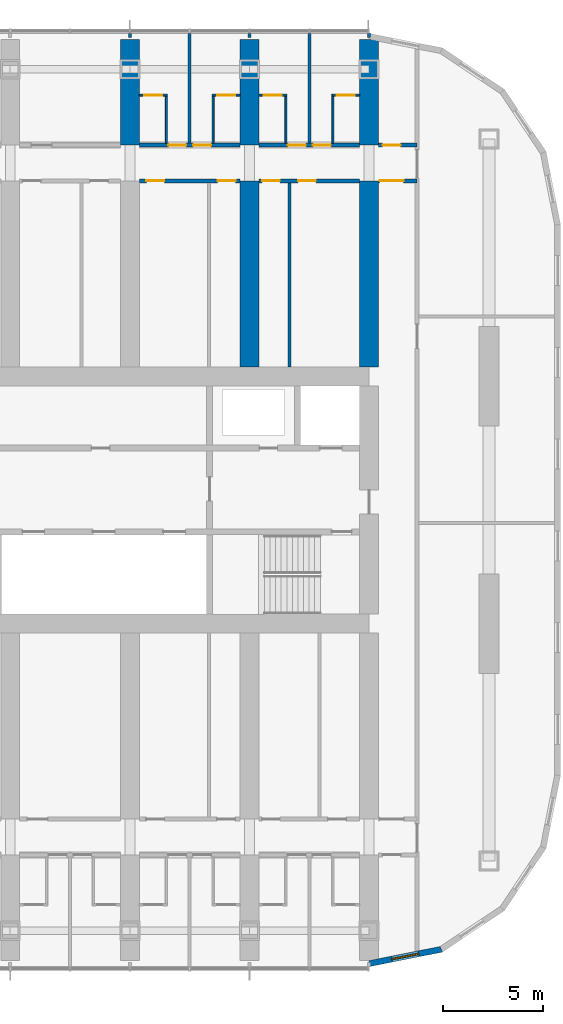
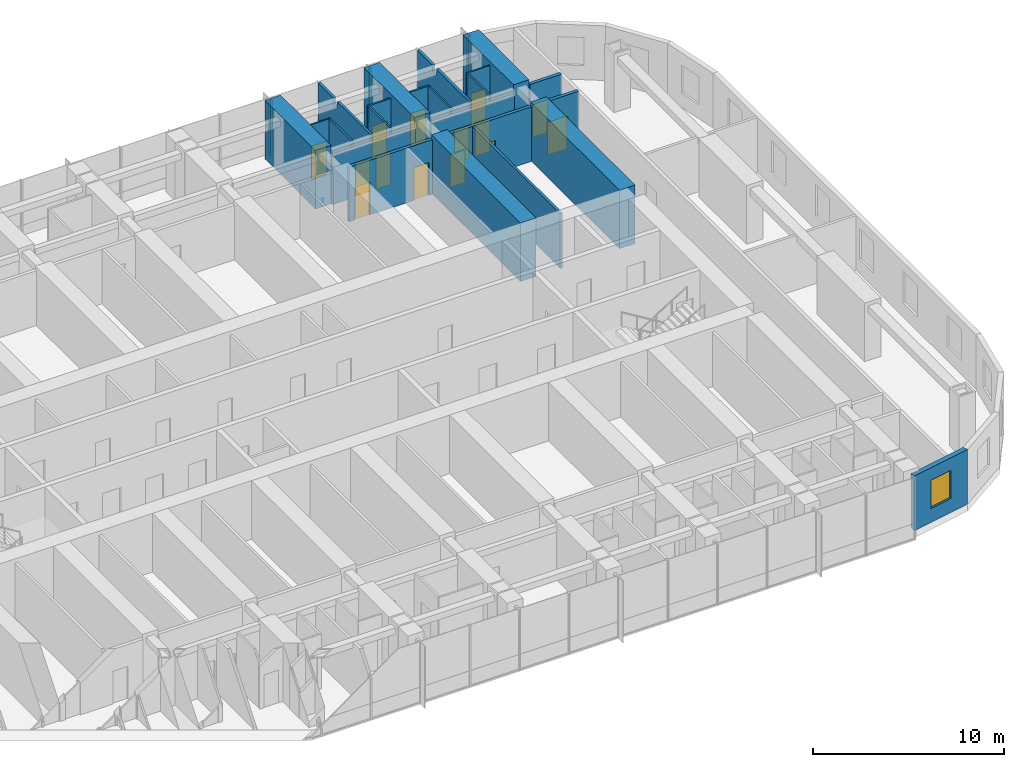
# One storey, part 17 of 25: 26 walls, 14 doors, 1 window, 15 openings.
"""IFC4 building model written with IfcOpenShell, lengths in metres."""

from ifc_helpers import new_model, si_unit, direction, frame, frame_2d, origin, place, context, subcontext, project, spatial, polyline, rectangle, outline, extrude, material, layer, layer_set, type_object, element, fill, save


model = new_model("IFC4")

# Units and contexts
model_context = context("Model", 3, precision=1e-05, world=origin(), true_north=direction((0.0, 1.0)))
body_context = subcontext(model_context, "Body", "Model", "MODEL_VIEW")
ifc_project = project(units=[si_unit("LENGTHUNIT", "METRE"), si_unit("AREAUNIT", "SQUARE_METRE"), si_unit("VOLUMEUNIT", "CUBIC_METRE"), si_unit("PLANEANGLEUNIT", "RADIAN"), si_unit("MASSUNIT", "GRAM", prefix="KILO")], contexts=[model_context])

# Site, building, storey
site_placement = place(None, origin())
site = spatial("IfcSite", under=ifc_project, at=site_placement, CompositionType="ELEMENT")
building_placement = place(site_placement, origin())
building = spatial("IfcBuilding", under=site, at=building_placement, Name="Orbita Commons", CompositionType="ELEMENT")
storey_placement = place(building_placement, frame((0.0, 0.0, 84.39990234375)))
storey = spatial("IfcBuildingStorey", under=building, at=storey_placement, Name="L20", CompositionType="ELEMENT", Elevation=84.39990234375)

# Wall, openings, doors
ifc_material_1 = material(Name="Concrete blockwork", Category="masonry")
ifc_layer_1 = layer(ifc_material_1, 0.199951171875)
ifc_layer_set_1 = layer_set([ifc_layer_1], Name="Concrete blockwork")
wall_type_1 = type_object("IfcWallType", Name="Corridor wall 200 blockwork", PredefinedType="SOLIDWALL", material=ifc_layer_set_1)
wall_1_placement = place(storey_placement, frame((54.47509765625, 49.800048828125, 0.0), z_axis=(0.0, 0.0, 1.0), x_axis=(1.0, 0.0, 0.0)))
wall_1 = element("IfcWall", 1, at=wall_1_placement, inside=storey, type_object=wall_type_1, Name="Corridor wall 200 blockwork L20", PredefinedType="SOLIDWALL", context=body_context, shape_type="SweptSolid", body=[
    extrude(outline(polyline([(0.0, 0.0), (5.0498046875, 0.0), (5.050048828125, 3.10009765625), (0.0, 3.10009765625), (0.0, 0.0)])), frame((0.0, 0.10009765625, 0.0), z_axis=(0.0, -1.0, 0.0), x_axis=(1.0, 0.0, 0.0)), (0.0, 0.0, 1.0), 0.199951171875),
])
opening_1_placement = place(wall_1_placement, frame((1.449951171875, 0.0, 0.0)))
opening_1 = element("IfcOpeningElement", 2, at=opening_1_placement, cuts=wall_1, Name="Opening D11", PredefinedType="OPENING", context=body_context, shape_type="SweptSolid", body=[
    extrude(rectangle(XDim=0.89990234375, YDim=2.10009765625, at=frame_2d((0.449951171875, 1.050048828125))), frame((0.0, 0.10986328125, 0.0), z_axis=(0.0, -1.0, 0.0), x_axis=(1.0, 0.0, 0.0)), (0.0, 0.0, 1.0), 0.219970703125),
])
opening_2_placement = place(wall_1_placement, frame((2.699951171875, 0.0, 0.0)))
opening_2 = element("IfcOpeningElement", 3, at=opening_2_placement, cuts=wall_1, Name="Opening D11", PredefinedType="OPENING", context=body_context, shape_type="SweptSolid", body=[
    extrude(rectangle(XDim=0.89990234375, YDim=2.10009765625, at=frame_2d((0.449951171875, 1.050048828125))), frame((0.0, 0.10986328125, 0.0), z_axis=(0.0, -1.0, 0.0), x_axis=(1.0, 0.0, 0.0)), (0.0, 0.0, 1.0), 0.219970703125),
])
ifc_material_2 = material(Name="Steel-faced fire door leaf", Category="steel")
door_type_1 = type_object("IfcDoorType", Name="Corridor door 20 min 900x2100", OperationType="SINGLE_SWING_LEFT", PredefinedType="DOOR", material=ifc_material_2)
door_1_placement = place(opening_1_placement, origin())
door_1 = element("IfcDoor", 4, at=door_1_placement, inside=storey, type_object=door_type_1, Name="Cluster bedroom L20-N14 door", OperationType="SINGLE_SWING_LEFT", OverallHeight=2.10009765625, OverallWidth=0.89990234375, PredefinedType="DOOR", context=body_context, shape_type="SweptSolid", body=[
    extrude(rectangle(XDim=0.89990234375, YDim=2.10009765625, at=frame_2d((0.449951171875, 1.050048828125))), frame((0.0, 0.02490234375, 0.0), z_axis=(0.0, -1.0, 0.0), x_axis=(1.0, 0.0, 0.0)), (0.0, 0.0, 1.0), 0.050048828125),
])
fill(opening_1, door_1)
door_2_placement = place(opening_2_placement, origin())
door_2 = element("IfcDoor", 5, at=door_2_placement, inside=storey, type_object=door_type_1, Name="Cluster bedroom L20-N15 door", OperationType="SINGLE_SWING_LEFT", OverallHeight=2.10009765625, OverallWidth=0.89990234375, PredefinedType="DOOR", context=body_context, shape_type="SweptSolid", body=[
    extrude(rectangle(XDim=0.89990234375, YDim=2.10009765625, at=frame_2d((0.449951171875, 1.050048828125))), frame((0.0, 0.02490234375, 0.0), z_axis=(0.0, -1.0, 0.0), x_axis=(1.0, 0.0, 0.0)), (0.0, 0.0, 1.0), 0.050048828125),
])
fill(opening_2, door_2)

wall_2_placement = place(storey_placement, frame((60.47509765625, 49.800048828125, 0.0), z_axis=(0.0, 0.0, 1.0), x_axis=(1.0, 0.0, 0.0)))
wall_2 = element("IfcWall", 6, at=wall_2_placement, inside=storey, type_object=wall_type_1, Name="Corridor wall 200 blockwork L20", PredefinedType="SOLIDWALL", context=body_context, shape_type="SweptSolid", body=[
    extrude(outline(polyline([(0.0, 0.0), (5.0498046875, 0.0), (5.050048828125, 3.10009765625), (0.0, 3.10009765625), (0.0, 0.0)])), frame((0.0, 0.10009765625, 0.0), z_axis=(0.0, -1.0, 0.0), x_axis=(1.0, 0.0, 0.0)), (0.0, 0.0, 1.0), 0.199951171875),
])
opening_3_placement = place(wall_2_placement, frame((1.449951171875, 0.0, 0.0)))
opening_3 = element("IfcOpeningElement", 7, at=opening_3_placement, cuts=wall_2, Name="Opening D11", PredefinedType="OPENING", context=body_context, shape_type="SweptSolid", body=[
    extrude(rectangle(XDim=0.89990234375, YDim=2.10009765625, at=frame_2d((0.449951171875, 1.050048828125))), frame((0.0, 0.10986328125, 0.0), z_axis=(0.0, -1.0, 0.0), x_axis=(1.0, 0.0, 0.0)), (0.0, 0.0, 1.0), 0.219970703125),
])
opening_4_placement = place(wall_2_placement, frame((2.699951171875, 0.0, 0.0)))
opening_4 = element("IfcOpeningElement", 8, at=opening_4_placement, cuts=wall_2, Name="Opening D11", PredefinedType="OPENING", context=body_context, shape_type="SweptSolid", body=[
    extrude(rectangle(XDim=0.89990234375, YDim=2.10009765625, at=frame_2d((0.449951171875, 1.050048828125))), frame((0.0, 0.10986328125, 0.0), z_axis=(0.0, -1.0, 0.0), x_axis=(1.0, 0.0, 0.0)), (0.0, 0.0, 1.0), 0.219970703125),
])
door_3_placement = place(opening_3_placement, origin())
door_3 = element("IfcDoor", 9, at=door_3_placement, inside=storey, type_object=door_type_1, Name="Cluster bedroom L20-N16 door", OperationType="SINGLE_SWING_LEFT", OverallHeight=2.10009765625, OverallWidth=0.89990234375, PredefinedType="DOOR", context=body_context, shape_type="SweptSolid", body=[
    extrude(rectangle(XDim=0.89990234375, YDim=2.10009765625, at=frame_2d((0.449951171875, 1.050048828125))), frame((0.0, 0.02490234375, 0.0), z_axis=(0.0, -1.0, 0.0), x_axis=(1.0, 0.0, 0.0)), (0.0, 0.0, 1.0), 0.050048828125),
])
fill(opening_3, door_3)
door_4_placement = place(opening_4_placement, origin())
door_4 = element("IfcDoor", 10, at=door_4_placement, inside=storey, type_object=door_type_1, Name="Cluster bedroom L20-N17 door", OperationType="SINGLE_SWING_LEFT", OverallHeight=2.10009765625, OverallWidth=0.89990234375, PredefinedType="DOOR", context=body_context, shape_type="SweptSolid", body=[
    extrude(rectangle(XDim=0.89990234375, YDim=2.10009765625, at=frame_2d((0.449951171875, 1.050048828125))), frame((0.0, 0.02490234375, 0.0), z_axis=(0.0, -1.0, 0.0), x_axis=(1.0, 0.0, 0.0)), (0.0, 0.0, 1.0), 0.050048828125),
])
fill(opening_4, door_4)

# Wall, opening, door
wall_3_placement = place(storey_placement, frame((66.47509765625, 49.800048828125, 0.0), z_axis=(0.0, 0.0, 1.0), x_axis=(1.0, 0.0, 0.0)))
wall_3 = element("IfcWall", 11, at=wall_3_placement, inside=storey, type_object=wall_type_1, Name="Corridor wall 200 blockwork L20", PredefinedType="SOLIDWALL", context=body_context, shape_type="SweptSolid", body=[
    extrude(rectangle(XDim=1.9248046875, YDim=0.199951171875, at=frame_2d((0.96240234375, 0.0))), origin(), (0.0, 0.0, 1.0), 3.5),
])
opening_5_placement = place(wall_3_placement, frame((0.199951171875, 0.0, 0.0)))
opening_5 = element("IfcOpeningElement", 12, at=opening_5_placement, cuts=wall_3, Name="Opening D05", PredefinedType="OPENING", context=body_context, shape_type="SweptSolid", body=[
    extrude(rectangle(XDim=0.89990234375, YDim=2.10009765625, at=frame_2d((0.449951171875, 1.050048828125))), frame((0.0, 0.10986328125, 0.0), z_axis=(0.0, -1.0, 0.0), x_axis=(1.0, 0.0, 0.0)), (0.0, 0.0, 1.0), 0.219970703125),
])
ifc_material_3 = material(Name="Steel-faced fire door leaf", Category="steel")
door_type_2 = type_object("IfcDoorType", Name="Service door 20 min 900x2100", OperationType="SINGLE_SWING_LEFT", PredefinedType="DOOR", material=ifc_material_3)
door_5_placement = place(opening_5_placement, origin())
door_5 = element("IfcDoor", 13, at=door_5_placement, inside=storey, type_object=door_type_2, Name="Linen store L20-KEN door", OperationType="SINGLE_SWING_LEFT", OverallHeight=2.10009765625, OverallWidth=0.89990234375, PredefinedType="DOOR", context=body_context, shape_type="SweptSolid", body=[
    extrude(rectangle(XDim=0.89990234375, YDim=2.10009765625, at=frame_2d((0.449951171875, 1.050048828125))), frame((0.0, 0.02490234375, 0.0), z_axis=(0.0, -1.0, 0.0), x_axis=(1.0, 0.0, 0.0)), (0.0, 0.0, 1.0), 0.050048828125),
])
fill(opening_5, door_5)

# Wall, openings, doors
ifc_material_4 = material(Name="Hollow concrete block 200", Category="concrete")
ifc_layer_2 = layer(ifc_material_4, 0.199951171875)
ifc_layer_set_2 = layer_set([ifc_layer_2], Name="Hollow concrete block 200")
wall_type_2 = type_object("IfcWallType", Name="Corridor wall 200 hollow concrete block", PredefinedType="SOLIDWALL", material=ifc_layer_set_2)
wall_4_placement = place(storey_placement, frame((54.47509765625, 48.0, 0.0), z_axis=(0.0, 0.0, 1.0), x_axis=(1.0, 0.0, 0.0)))
wall_4 = element("IfcWall", 14, at=wall_4_placement, inside=storey, type_object=wall_type_2, Name="Corridor wall 200 hollow concrete block L20", PredefinedType="SOLIDWALL", context=body_context, shape_type="SweptSolid", body=[
    extrude(rectangle(XDim=5.0498046875, YDim=0.199951171875, at=frame_2d((2.52490234375, 0.0))), origin(), (0.0, 0.0, 1.0), 3.5),
])
opening_6_placement = place(wall_4_placement, frame((0.35009765625, 0.0, 0.0)))
opening_6 = element("IfcOpeningElement", 15, at=opening_6_placement, cuts=wall_4, Name="Opening D11", PredefinedType="OPENING", context=body_context, shape_type="SweptSolid", body=[
    extrude(rectangle(XDim=0.89990234375, YDim=2.10009765625, at=frame_2d((0.449951171875, 1.050048828125))), frame((0.0, 0.10986328125, 0.0), z_axis=(0.0, -1.0, 0.0), x_axis=(1.0, 0.0, 0.0)), (0.0, 0.0, 1.0), 0.219970703125),
])
opening_7_placement = place(wall_4_placement, frame((3.925048828125, 0.0, 0.0)))
opening_7 = element("IfcOpeningElement", 16, at=opening_7_placement, cuts=wall_4, Name="Opening D11", PredefinedType="OPENING", context=body_context, shape_type="SweptSolid", body=[
    extrude(rectangle(XDim=0.89990234375, YDim=2.10009765625, at=frame_2d((0.449951171875, 1.050048828125))), frame((0.0, 0.10986328125, 0.0), z_axis=(0.0, -1.0, 0.0), x_axis=(1.0, 0.0, 0.0)), (0.0, 0.0, 1.0), 0.219970703125),
])
door_6_placement = place(opening_6_placement, origin())
door_6 = element("IfcDoor", 17, at=door_6_placement, inside=storey, type_object=door_type_1, Name="Parcel and post room L20-BDN54 door", OperationType="SINGLE_SWING_LEFT", OverallHeight=2.10009765625, OverallWidth=0.89990234375, PredefinedType="DOOR", context=body_context, shape_type="SweptSolid", body=[
    extrude(rectangle(XDim=0.89990234375, YDim=2.10009765625, at=frame_2d((0.449951171875, 1.050048828125))), frame((0.0, 0.02490234375, 0.0), z_axis=(0.0, -1.0, 0.0), x_axis=(1.0, 0.0, 0.0)), (0.0, 0.0, 1.0), 0.050048828125),
])
fill(opening_6, door_6)
door_7_placement = place(opening_7_placement, origin())
door_7 = element("IfcDoor", 18, at=door_7_placement, inside=storey, type_object=door_type_1, Name="Battery and UPS room L20-BDN54n door", OperationType="SINGLE_SWING_LEFT", OverallHeight=2.10009765625, OverallWidth=0.89990234375, PredefinedType="DOOR", context=body_context, shape_type="SweptSolid", body=[
    extrude(rectangle(XDim=0.89990234375, YDim=2.10009765625, at=frame_2d((0.449951171875, 1.050048828125))), frame((0.0, 0.02490234375, 0.0), z_axis=(0.0, -1.0, 0.0), x_axis=(1.0, 0.0, 0.0)), (0.0, 0.0, 1.0), 0.050048828125),
])
fill(opening_7, door_7)

wall_5_placement = place(storey_placement, frame((60.47509765625, 48.0, 0.0), z_axis=(0.0, 0.0, 1.0), x_axis=(1.0, 0.0, 0.0)))
wall_5 = element("IfcWall", 19, at=wall_5_placement, inside=storey, type_object=wall_type_2, Name="Corridor wall 200 hollow concrete block L20", PredefinedType="SOLIDWALL", context=body_context, shape_type="SweptSolid", body=[
    extrude(rectangle(XDim=5.0498046875, YDim=0.199951171875, at=frame_2d((2.52490234375, 0.0))), origin(), (0.0, 0.0, 1.0), 3.5),
])
opening_8_placement = place(wall_5_placement, frame((0.14990234375, 0.0, 0.0)))
opening_8 = element("IfcOpeningElement", 20, at=opening_8_placement, cuts=wall_5, Name="Opening D11", PredefinedType="OPENING", context=body_context, shape_type="SweptSolid", body=[
    extrude(rectangle(XDim=0.89990234375, YDim=2.10009765625, at=frame_2d((0.449951171875, 1.050048828125))), frame((0.0, 0.10986328125, 0.0), z_axis=(0.0, -1.0, 0.0), x_axis=(1.0, 0.0, 0.0)), (0.0, 0.0, 1.0), 0.219970703125),
])
opening_9_placement = place(wall_5_placement, frame((1.955078125, 0.0, 0.0)))
opening_9 = element("IfcOpeningElement", 21, at=opening_9_placement, cuts=wall_5, Name="Opening D11", PredefinedType="OPENING", context=body_context, shape_type="SweptSolid", body=[
    extrude(rectangle(XDim=0.89990234375, YDim=2.10009765625, at=frame_2d((0.449951171875, 1.050048828125))), frame((0.0, 0.10986328125, 0.0), z_axis=(0.0, -1.0, 0.0), x_axis=(1.0, 0.0, 0.0)), (0.0, 0.0, 1.0), 0.219970703125),
])
door_8_placement = place(opening_8_placement, origin())
door_8 = element("IfcDoor", 22, at=door_8_placement, inside=storey, type_object=door_type_1, Name="Sprinkler valve room L20-BDN60n door", OperationType="SINGLE_SWING_LEFT", OverallHeight=2.10009765625, OverallWidth=0.89990234375, PredefinedType="DOOR", context=body_context, shape_type="SweptSolid", body=[
    extrude(rectangle(XDim=0.89990234375, YDim=2.10009765625, at=frame_2d((0.449951171875, 1.050048828125))), frame((0.0, 0.02490234375, 0.0), z_axis=(0.0, -1.0, 0.0), x_axis=(1.0, 0.0, 0.0)), (0.0, 0.0, 1.0), 0.050048828125),
])
fill(opening_8, door_8)
door_9_placement = place(opening_9_placement, origin())
door_9 = element("IfcDoor", 23, at=door_9_placement, inside=storey, type_object=door_type_1, Name="Drying room L20-BDN60 door", OperationType="SINGLE_SWING_LEFT", OverallHeight=2.10009765625, OverallWidth=0.89990234375, PredefinedType="DOOR", context=body_context, shape_type="SweptSolid", body=[
    extrude(rectangle(XDim=0.89990234375, YDim=2.10009765625, at=frame_2d((0.449951171875, 1.050048828125))), frame((0.0, 0.02490234375, 0.0), z_axis=(0.0, -1.0, 0.0), x_axis=(1.0, 0.0, 0.0)), (0.0, 0.0, 1.0), 0.050048828125),
])
fill(opening_9, door_9)

# Wall, opening, door
wall_6_placement = place(storey_placement, frame((66.47509765625, 48.0, 0.0), z_axis=(0.0, 0.0, 1.0), x_axis=(1.0, 0.0, 0.0)))
wall_6 = element("IfcWall", 24, at=wall_6_placement, inside=storey, type_object=wall_type_2, Name="Corridor wall 200 hollow concrete block L20", PredefinedType="SOLIDWALL", context=body_context, shape_type="SweptSolid", body=[
    extrude(rectangle(XDim=1.9248046875, YDim=0.199951171875, at=frame_2d((0.96240234375, 0.0))), origin(), (0.0, 0.0, 1.0), 3.5),
])
opening_10_placement = place(wall_6_placement, frame((0.050048828125, 0.0, 0.0)))
opening_10 = element("IfcOpeningElement", 25, at=opening_10_placement, cuts=wall_6, Name="Opening D12", PredefinedType="OPENING", context=body_context, shape_type="SweptSolid", body=[
    extrude(rectangle(XDim=1.199951171875, YDim=2.10009765625, at=frame_2d((0.60009765625, 1.050048828125))), frame((0.0, 0.10986328125, 0.0), z_axis=(0.0, -1.0, 0.0), x_axis=(1.0, 0.0, 0.0)), (0.0, 0.0, 1.0), 0.219970703125),
])
ifc_material_5 = material(Name="Steel-faced fire door leaf", Category="steel")
door_type_3 = type_object("IfcDoorType", Name="Double corridor door 20 min 1200x2100", OperationType="DOUBLE_DOOR_SINGLE_SWING", PredefinedType="DOOR", material=ifc_material_5)
door_10_placement = place(opening_10_placement, origin())
door_10 = element("IfcDoor", 26, at=door_10_placement, inside=storey, type_object=door_type_3, Name="Cross corridor doors", OperationType="DOUBLE_DOOR_SINGLE_SWING", OverallHeight=2.10009765625, OverallWidth=1.199951171875, PredefinedType="DOOR", context=body_context, shape_type="SweptSolid", body=[
    extrude(rectangle(XDim=1.199951171875, YDim=2.10009765625, at=frame_2d((0.60009765625, 1.050048828125))), frame((0.0, 0.02490234375, 0.0), z_axis=(0.0, -1.0, 0.0), x_axis=(1.0, 0.0, 0.0)), (0.0, 0.0, 1.0), 0.050048828125),
])
fill(opening_10, door_10)

# Walls
ifc_material_6 = material(Name="Concrete C50/60", Category="concrete")
ifc_layer_3 = layer(ifc_material_6, 0.949951171875)
ifc_layer_set_3 = layer_set([ifc_layer_3], Name="Concrete C50/60")
wall_type_3 = type_object("IfcWallType", Name="Cross wall 950 C50/60", PredefinedType="SHEAR", material=ifc_layer_set_3)
for number, where, z_axis, x_axis, name in (
    (27, (54.0, 49.800048828125, 0.0), (0.0, 0.0, 1.0), (0.0, 1.0, 0.0), "Cross wall 10 north outer L20"),
    (28, (60.0, 49.800048828125, 0.0), (0.0, 0.0, 1.0), (0.0, 1.0, 0.0), "Cross wall 11 north outer L20"),
):
    element("IfcWall", number, at=place(storey_placement, frame(where, z_axis=z_axis, x_axis=x_axis)), inside=storey, type_object=wall_type_3, Name=name, PredefinedType="SHEAR", context=body_context, shape_type="SweptSolid", body=[
        extrude(rectangle(XDim=5.300048828125, YDim=0.949951171875, at=frame_2d((2.64990234375, 0.0))), origin(), (0.0, 0.0, 1.0), 3.75),
    ])
wall_7_placement = place(storey_placement, frame((60.0, 38.675048828125, 0.0), z_axis=(0.0, 0.0, 1.0), x_axis=(0.0, 1.0, 0.0)))
element("IfcWall", 29, at=wall_7_placement, inside=storey, type_object=wall_type_3, Name="Cross wall 11 north inner L20", PredefinedType="SHEAR", context=body_context, shape_type="SweptSolid", body=[
    extrude(rectangle(XDim=9.324951171875, YDim=0.949951171875, at=frame_2d((4.66259765625, 0.0))), origin(), (0.0, 0.0, 1.0), 3.75),
])
wall_8_placement = place(storey_placement, frame((66.0, 49.800048828125, 0.0), z_axis=(0.0, 0.0, 1.0), x_axis=(0.0, 1.0, 0.0)))
element("IfcWall", 30, at=wall_8_placement, inside=storey, type_object=wall_type_3, Name="Cross wall 12 north outer L20", PredefinedType="SHEAR", context=body_context, shape_type="SweptSolid", body=[
    extrude(rectangle(XDim=5.300048828125, YDim=0.949951171875, at=frame_2d((2.64990234375, 0.0))), origin(), (0.0, 0.0, 1.0), 3.75),
])
wall_9_placement = place(storey_placement, frame((66.0, 38.675048828125, 0.0), z_axis=(0.0, 0.0, 1.0), x_axis=(0.0, 1.0, 0.0)))
element("IfcWall", 31, at=wall_9_placement, inside=storey, type_object=wall_type_3, Name="Cross wall 12 north inner L20", PredefinedType="SHEAR", context=body_context, shape_type="SweptSolid", body=[
    extrude(rectangle(XDim=9.324951171875, YDim=0.949951171875, at=frame_2d((4.66259765625, 0.0))), origin(), (0.0, 0.0, 1.0), 3.75),
])

# Wall, opening, door
ifc_material_7 = material(Name="Moisture-resistant plasterboard on steel studs", Category="steel")
ifc_layer_4 = layer(ifc_material_7, 0.10009765625)
ifc_layer_set_4 = layer_set([ifc_layer_4], Name="Moisture-resistant plasterboard on steel studs")
wall_type_4 = type_object("IfcWallType", Name="En-suite partition 100", PredefinedType="PARTITIONING", material=ifc_layer_set_4)
wall_10_placement = place(storey_placement, frame((54.47509765625, 52.300048828125, 0.0), z_axis=(0.0, 0.0, 1.0), x_axis=(1.0, 0.0, 0.0)))
wall_10 = element("IfcWall", 32, at=wall_10_placement, inside=storey, type_object=wall_type_4, Name="En-suite partition 100 L20", PredefinedType="PARTITIONING", context=body_context, shape_type="SweptSolid", body=[
    extrude(rectangle(XDim=1.39990234375, YDim=0.10009765625, at=frame_2d((0.699951171875, 0.0))), origin(), (0.0, 0.0, 1.0), 3.5),
])
opening_11_placement = place(wall_10_placement, frame((0.25, 0.0, 0.0)))
opening_11 = element("IfcOpeningElement", 33, at=opening_11_placement, cuts=wall_10, Name="Opening D09", PredefinedType="OPENING", context=body_context, shape_type="SweptSolid", body=[
    extrude(rectangle(XDim=0.89990234375, YDim=2.10009765625, at=frame_2d((0.449951171875, 1.050048828125))), frame((0.0, 0.06005859375, 0.0), z_axis=(0.0, -1.0, 0.0), x_axis=(1.0, 0.0, 0.0)), (0.0, 0.0, 1.0), 0.1201171875),
])
ifc_material_8 = material(Name="Laminated timber door leaf", Category="wood")
door_type_4 = type_object("IfcDoorType", Name="En-suite door 900x2100", OperationType="SINGLE_SWING_RIGHT", PredefinedType="DOOR", material=ifc_material_8)
door_11_placement = place(opening_11_placement, origin())
door_11 = element("IfcDoor", 34, at=door_11_placement, inside=storey, type_object=door_type_4, Name="En-suite L20-N14 door", OperationType="SINGLE_SWING_RIGHT", OverallHeight=2.10009765625, OverallWidth=0.89990234375, PredefinedType="DOOR", context=body_context, shape_type="SweptSolid", body=[
    extrude(rectangle(XDim=0.89990234375, YDim=2.10009765625, at=frame_2d((0.449951171875, 1.050048828125))), frame((0.0, 0.02490234375, 0.0), z_axis=(0.0, -1.0, 0.0), x_axis=(1.0, 0.0, 0.0)), (0.0, 0.0, 1.0), 0.050048828125),
])
fill(opening_11, door_11)

# Wall
wall_11_placement = place(storey_placement, frame((55.824951171875, 52.25, 0.0), z_axis=(0.0, 0.0, 1.0), x_axis=(0.0, -1.0, 0.0)))
element("IfcWall", 35, at=wall_11_placement, inside=storey, type_object=wall_type_4, Name="En-suite partition 100 L20", PredefinedType="PARTITIONING", context=body_context, shape_type="SweptSolid", body=[
    extrude(outline(polyline([(0.0, 0.0), (2.35009765625, 0.0), (2.35009765625, 3.10009765625), (2.302001953125, 3.10009765625), (2.300048828125, 3.5), (0.0, 3.5), (0.0, 0.0)])), frame((0.0, 0.050048828125, 0.0), z_axis=(0.0, -1.0, 0.0), x_axis=(1.0, 0.0, 0.0)), (0.0, 0.0, 1.0), 0.10009765625),
])

# Wall, opening, door
wall_12_placement = place(storey_placement, frame((58.125, 52.300048828125, 0.0), z_axis=(0.0, 0.0, 1.0), x_axis=(1.0, 0.0, 0.0)))
wall_12 = element("IfcWall", 36, at=wall_12_placement, inside=storey, type_object=wall_type_4, Name="En-suite partition 100 L20", PredefinedType="PARTITIONING", context=body_context, shape_type="SweptSolid", body=[
    extrude(rectangle(XDim=1.39990234375, YDim=0.10009765625, at=frame_2d((0.699951171875, 0.0))), origin(), (0.0, 0.0, 1.0), 3.5),
])
opening_12_placement = place(wall_12_placement, frame((0.25, 0.0, 0.0)))
opening_12 = element("IfcOpeningElement", 37, at=opening_12_placement, cuts=wall_12, Name="Opening D09", PredefinedType="OPENING", context=body_context, shape_type="SweptSolid", body=[
    extrude(rectangle(XDim=0.89990234375, YDim=2.10009765625, at=frame_2d((0.449951171875, 1.050048828125))), frame((0.0, 0.06005859375, 0.0), z_axis=(0.0, -1.0, 0.0), x_axis=(1.0, 0.0, 0.0)), (0.0, 0.0, 1.0), 0.1201171875),
])
door_12_placement = place(opening_12_placement, origin())
door_12 = element("IfcDoor", 38, at=door_12_placement, inside=storey, type_object=door_type_4, Name="En-suite L20-N15 door", OperationType="SINGLE_SWING_RIGHT", OverallHeight=2.10009765625, OverallWidth=0.89990234375, PredefinedType="DOOR", context=body_context, shape_type="SweptSolid", body=[
    extrude(rectangle(XDim=0.89990234375, YDim=2.10009765625, at=frame_2d((0.449951171875, 1.050048828125))), frame((0.0, 0.02490234375, 0.0), z_axis=(0.0, -1.0, 0.0), x_axis=(1.0, 0.0, 0.0)), (0.0, 0.0, 1.0), 0.050048828125),
])
fill(opening_12, door_12)

# Wall
wall_13_placement = place(storey_placement, frame((58.175048828125, 52.25, 0.0), z_axis=(0.0, 0.0, 1.0), x_axis=(0.0, -1.0, 0.0)))
element("IfcWall", 39, at=wall_13_placement, inside=storey, type_object=wall_type_4, Name="En-suite partition 100 L20", PredefinedType="PARTITIONING", context=body_context, shape_type="SweptSolid", body=[
    extrude(outline(polyline([(0.0, 0.0), (2.35009765625, 0.0), (2.35009765625, 3.10009765625), (2.302001953125, 3.10009765625), (2.300048828125, 3.5), (0.0, 3.5), (0.0, 0.0)])), frame((0.0, 0.050048828125, 0.0), z_axis=(0.0, -1.0, 0.0), x_axis=(1.0, 0.0, 0.0)), (0.0, 0.0, 1.0), 0.10009765625),
])

# Wall, opening, door
wall_14_placement = place(storey_placement, frame((60.47509765625, 52.300048828125, 0.0), z_axis=(0.0, 0.0, 1.0), x_axis=(1.0, 0.0, 0.0)))
wall_14 = element("IfcWall", 40, at=wall_14_placement, inside=storey, type_object=wall_type_4, Name="En-suite partition 100 L20", PredefinedType="PARTITIONING", context=body_context, shape_type="SweptSolid", body=[
    extrude(rectangle(XDim=1.39990234375, YDim=0.10009765625, at=frame_2d((0.699951171875, 0.0))), origin(), (0.0, 0.0, 1.0), 3.5),
])
opening_13_placement = place(wall_14_placement, frame((0.25, 0.0, 0.0)))
opening_13 = element("IfcOpeningElement", 41, at=opening_13_placement, cuts=wall_14, Name="Opening D09", PredefinedType="OPENING", context=body_context, shape_type="SweptSolid", body=[
    extrude(rectangle(XDim=0.89990234375, YDim=2.10009765625, at=frame_2d((0.449951171875, 1.050048828125))), frame((0.0, 0.06005859375, 0.0), z_axis=(0.0, -1.0, 0.0), x_axis=(1.0, 0.0, 0.0)), (0.0, 0.0, 1.0), 0.1201171875),
])
door_13_placement = place(opening_13_placement, origin())
door_13 = element("IfcDoor", 42, at=door_13_placement, inside=storey, type_object=door_type_4, Name="En-suite L20-N16 door", OperationType="SINGLE_SWING_RIGHT", OverallHeight=2.10009765625, OverallWidth=0.89990234375, PredefinedType="DOOR", context=body_context, shape_type="SweptSolid", body=[
    extrude(rectangle(XDim=0.89990234375, YDim=2.10009765625, at=frame_2d((0.449951171875, 1.050048828125))), frame((0.0, 0.02490234375, 0.0), z_axis=(0.0, -1.0, 0.0), x_axis=(1.0, 0.0, 0.0)), (0.0, 0.0, 1.0), 0.050048828125),
])
fill(opening_13, door_13)

# Wall
wall_15_placement = place(storey_placement, frame((61.824951171875, 52.25, 0.0), z_axis=(0.0, 0.0, 1.0), x_axis=(0.0, -1.0, 0.0)))
element("IfcWall", 43, at=wall_15_placement, inside=storey, type_object=wall_type_4, Name="En-suite partition 100 L20", PredefinedType="PARTITIONING", context=body_context, shape_type="SweptSolid", body=[
    extrude(outline(polyline([(0.0, 0.0), (2.35009765625, 0.0), (2.35009765625, 3.10009765625), (2.302001953125, 3.10009765625), (2.300048828125, 3.5), (0.0, 3.5), (0.0, 0.0)])), frame((0.0, 0.050048828125, 0.0), z_axis=(0.0, -1.0, 0.0), x_axis=(1.0, 0.0, 0.0)), (0.0, 0.0, 1.0), 0.10009765625),
])

# Wall, opening, door
wall_16_placement = place(storey_placement, frame((64.125, 52.300048828125, 0.0), z_axis=(0.0, 0.0, 1.0), x_axis=(1.0, 0.0, 0.0)))
wall_16 = element("IfcWall", 44, at=wall_16_placement, inside=storey, type_object=wall_type_4, Name="En-suite partition 100 L20", PredefinedType="PARTITIONING", context=body_context, shape_type="SweptSolid", body=[
    extrude(rectangle(XDim=1.39990234375, YDim=0.10009765625, at=frame_2d((0.699951171875, 0.0))), origin(), (0.0, 0.0, 1.0), 3.5),
])
opening_14_placement = place(wall_16_placement, frame((0.25, 0.0, 0.0)))
opening_14 = element("IfcOpeningElement", 45, at=opening_14_placement, cuts=wall_16, Name="Opening D09", PredefinedType="OPENING", context=body_context, shape_type="SweptSolid", body=[
    extrude(rectangle(XDim=0.89990234375, YDim=2.10009765625, at=frame_2d((0.449951171875, 1.050048828125))), frame((0.0, 0.06005859375, 0.0), z_axis=(0.0, -1.0, 0.0), x_axis=(1.0, 0.0, 0.0)), (0.0, 0.0, 1.0), 0.1201171875),
])
door_14_placement = place(opening_14_placement, origin())
door_14 = element("IfcDoor", 46, at=door_14_placement, inside=storey, type_object=door_type_4, Name="En-suite L20-N17 door", OperationType="SINGLE_SWING_RIGHT", OverallHeight=2.10009765625, OverallWidth=0.89990234375, PredefinedType="DOOR", context=body_context, shape_type="SweptSolid", body=[
    extrude(rectangle(XDim=0.89990234375, YDim=2.10009765625, at=frame_2d((0.449951171875, 1.050048828125))), frame((0.0, 0.02490234375, 0.0), z_axis=(0.0, -1.0, 0.0), x_axis=(1.0, 0.0, 0.0)), (0.0, 0.0, 1.0), 0.050048828125),
])
fill(opening_14, door_14)

# Walls
wall_17_placement = place(storey_placement, frame((64.175048828125, 52.25, 0.0), z_axis=(0.0, 0.0, 1.0), x_axis=(0.0, -1.0, 0.0)))
element("IfcWall", 47, at=wall_17_placement, inside=storey, type_object=wall_type_4, Name="En-suite partition 100 L20", PredefinedType="PARTITIONING", context=body_context, shape_type="SweptSolid", body=[
    extrude(outline(polyline([(0.0, 0.0), (2.35009765625, 0.0), (2.35009765625, 3.10009765625), (2.302001953125, 3.10009765625), (2.300048828125, 3.5), (0.0, 3.5), (0.0, 0.0)])), frame((0.0, 0.050048828125, 0.0), z_axis=(0.0, -1.0, 0.0), x_axis=(1.0, 0.0, 0.0)), (0.0, 0.0, 1.0), 0.10009765625),
])
ifc_material_9 = material(Name="Gypsum plasterboard on steel studs", Category="steel")
ifc_layer_5 = layer(ifc_material_9, 0.14990234375)
ifc_layer_set_5 = layer_set([ifc_layer_5], Name="Gypsum plasterboard on steel studs")
wall_type_5 = type_object("IfcWallType", Name="Partition 150 plasterboard", PredefinedType="PARTITIONING", material=ifc_layer_set_5)
wall_18_placement = place(storey_placement, frame((62.0048828125, 38.675048828125, 0.0), z_axis=(0.0, 0.0, 1.0), x_axis=(0.0, 1.0, 0.0)))
element("IfcWall", 48, at=wall_18_placement, inside=storey, type_object=wall_type_5, Name="Partition 150 plasterboard L20", PredefinedType="PARTITIONING", context=body_context, shape_type="SweptSolid", body=[
    extrude(rectangle(XDim=9.224853515625, YDim=0.14990234375, at=frame_2d((4.6123046875, 0.0))), origin(), (0.0, 0.0, 1.0), 3.5),
])
for number, where, z_axis, x_axis, name in (
    (49, (54.0, 55.199951171875, 0.0), (0.0, 0.0, 1.0), (0.0, 1.0, 0.0), "Partition 150 plasterboard L20"),
    (50, (60.0, 55.199951171875, 0.0), (0.0, 0.0, 1.0), (0.0, 1.0, 0.0), "Partition 150 plasterboard L20"),
):
    element("IfcWall", number, at=place(storey_placement, frame(where, z_axis=z_axis, x_axis=x_axis)), inside=storey, type_object=wall_type_5, Name=name, PredefinedType="PARTITIONING", context=body_context, shape_type="SweptSolid", body=[
        extrude(rectangle(XDim=0.18994140625, YDim=0.14990234375, at=frame_2d((0.094970703125, 0.0))), origin(), (0.0, 0.0, 1.0), 3.5),
    ])
wall_19_placement = place(storey_placement, frame((66.0, 55.199951171875, 0.0), z_axis=(0.0, 0.0, 1.0), x_axis=(0.0, 1.0, 0.0)))
element("IfcWall", 51, at=wall_19_placement, inside=storey, type_object=wall_type_5, Name="Partition 150 plasterboard L20", PredefinedType="PARTITIONING", context=body_context, shape_type="SweptSolid", body=[
    extrude(rectangle(XDim=0.219970703125, YDim=0.14990234375, at=frame_2d((0.10986328125, 0.0))), origin(), (0.0, 0.0, 1.0), 3.5),
])
ifc_material_10 = material(Name="Gypsum plasterboard on steel studs", Category="steel")
ifc_layer_6 = layer(ifc_material_10, 0.14990234375)
ifc_layer_set_6 = layer_set([ifc_layer_6], Name="Gypsum plasterboard on steel studs")
wall_type_6 = type_object("IfcWallType", Name="Party wall 150 plasterboard", PredefinedType="PARTITIONING", material=ifc_layer_set_6)
for number, where, z_axis, x_axis, name in (
    (52, (57.0, 55.389892578125, 0.0), (0.0, 0.0, 1.0), (0.0, -1.0, 0.0), "Party wall 150 plasterboard L20"),
    (53, (63.0, 55.389892578125, 0.0), (0.0, 0.0, 1.0), (0.0, -1.0, 0.0), "Party wall 150 plasterboard L20"),
):
    element("IfcWall", number, at=place(storey_placement, frame(where, z_axis=z_axis, x_axis=x_axis)), inside=storey, type_object=wall_type_6, Name=name, PredefinedType="PARTITIONING", context=body_context, shape_type="SweptSolid", body=[
        extrude(outline(polyline([(0.0, 0.0), (5.489990234375, 0.0), (5.489990234375, 3.10009765625), (5.44189453125, 3.10009765625), (5.43994140625, 3.5), (1.991943359375, 3.5), (1.989990234375, 3.10009765625), (1.592041015625, 3.10009765625), (1.590087890625, 3.5), (0.0, 3.5), (0.0, 0.0)])), frame((0.0, 0.074951171875, 0.0), z_axis=(0.0, -1.0, 0.0), x_axis=(1.0, 0.0, 0.0)), (0.0, 0.0, 1.0), 0.14990234375),
    ])

# Wall, opening, window
ifc_material_11 = material(Name="Precast concrete C40/50, white board-marked finish", Category="concrete")
ifc_layer_7 = layer(ifc_material_11, 0.300048828125)
ifc_layer_set_7 = layer_set([ifc_layer_7], Name="Precast concrete C40/50, white board-marked finish")
wall_type_7 = type_object("IfcWallType", Name="Precast concrete end shield 300", PredefinedType="SOLIDWALL", material=ifc_layer_set_7)
wall_20_placement = place(storey_placement, frame((66.0, 8.75, 0.0), z_axis=(0.0, 0.0, 1.0), x_axis=(0.980791473772, 0.195059183267, 0.0)))
wall_20 = element("IfcWall", 54, at=wall_20_placement, inside=storey, type_object=wall_type_7, Name="End shield SE chord 1 L20", PredefinedType="SOLIDWALL", context=body_context, shape_type="SweptSolid", body=[
    extrude(outline(polyline([(-0.02978515625, -0.14990234375), (3.717041015625, -0.14990234375), (3.657470703125, 0.14990234375), (0.02978515625, 0.14990234375), (-0.02978515625, -0.14990234375)])), origin(), (0.0, 0.0, 1.0), 3.5),
])
opening_15_placement = place(wall_20_placement, frame((1.1435546875, 0.0, 0.89990234375)))
opening_15 = element("IfcOpeningElement", 55, at=opening_15_placement, cuts=wall_20, Name="Opening W02", PredefinedType="OPENING", context=body_context, shape_type="SweptSolid", body=[
    extrude(rectangle(XDim=1.39990234375, YDim=1.800048828125, at=frame_2d((0.699951171875, 0.89990234375))), frame((0.0, 0.159912109375, 0.0), z_axis=(0.0, -1.0, 0.0), x_axis=(1.0, 0.0, 0.0)), (0.0, 0.0, 1.0), 0.320068359375),
])
ifc_material_12 = material(Name="Aluminium frame, clear double glazing", Category="aluminium")
window_type = type_object("IfcWindowType", Name="Deep-set window 1400x1800", PartitioningType="SINGLE_PANEL", PredefinedType="WINDOW", material=ifc_material_12)
window_placement = place(opening_15_placement, origin())
window = element("IfcWindow", 56, at=window_placement, inside=storey, type_object=window_type, Name="Window L20-SE0", OverallHeight=1.800048828125, OverallWidth=1.39990234375, PartitioningType="SINGLE_PANEL", PredefinedType="WINDOW", context=body_context, shape_type="SweptSolid", body=[
    extrude(rectangle(XDim=1.39990234375, YDim=1.800048828125, at=frame_2d((0.699951171875, 0.89990234375))), frame((0.0, 0.030029296875, 0.0), z_axis=(0.0, -1.0, 0.0), x_axis=(1.0, 0.0, 0.0)), (0.0, 0.0, 1.0), 0.06005859375),
])
fill(opening_15, window)

save(model, "model.ifc")
